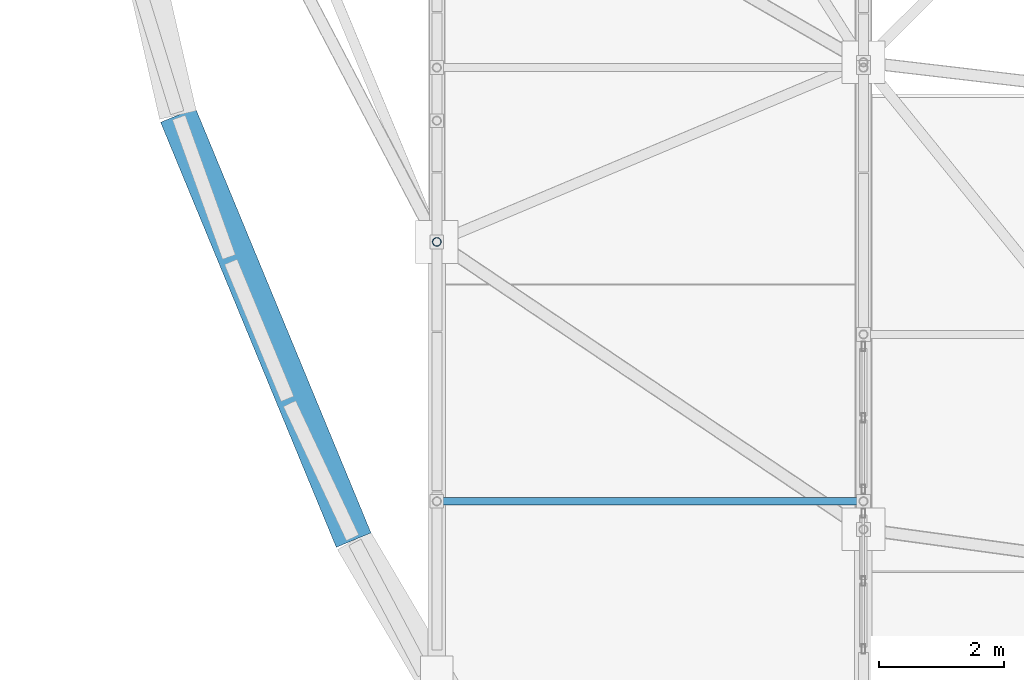
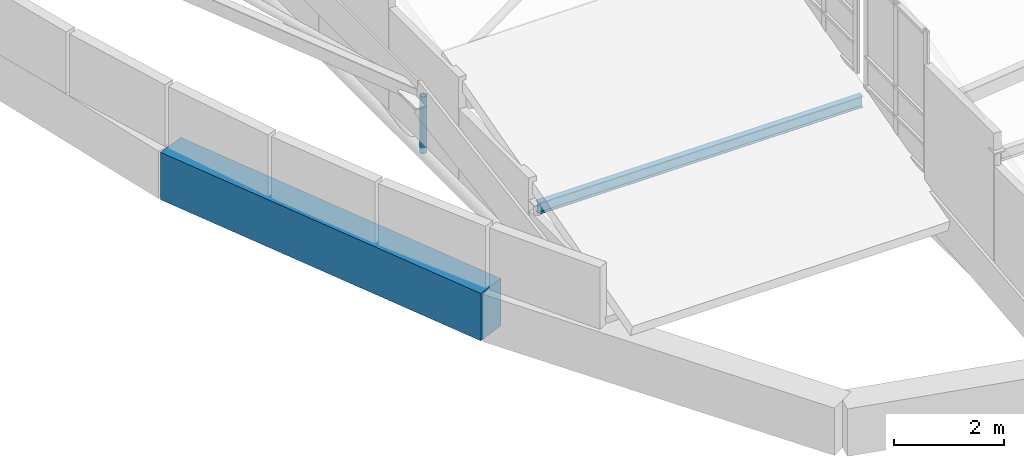
# One storey, part 3 of 188: 2 members, 1 beam.
"""IFC4 building model written with IfcOpenShell, lengths in metres."""

from ifc_helpers import new_model, si_unit, direction, frame, origin, origin_2d, place, context, subcontext, project, spatial, rectangle, hollow_circle, i_section, extrude, material, material_profile, profile_set, type_object, element, save


model = new_model("IFC4")

# Units and contexts
model_context = context("Model", 3, precision=1e-05, world=origin(), true_north=direction((0.0, 1.0)))
body_context = subcontext(model_context, "Body", "Model", "MODEL_VIEW")
ifc_project = project(units=[si_unit("LENGTHUNIT", "METRE"), si_unit("AREAUNIT", "SQUARE_METRE"), si_unit("VOLUMEUNIT", "CUBIC_METRE"), si_unit("PLANEANGLEUNIT", "RADIAN"), si_unit("MASSUNIT", "GRAM", prefix="KILO")], contexts=[model_context])

# Site, building, storey
site_placement = place(None, origin())
site = spatial("IfcSite", under=ifc_project, at=site_placement, CompositionType="ELEMENT")
building_placement = place(site_placement, origin())
building = spatial("IfcBuilding", under=site, at=building_placement, Name="Kisaragi Civic Commons", CompositionType="ELEMENT")
storey_placement = place(building_placement, frame((0.0, 0.0, 9.60009765625)))
storey = spatial("IfcBuildingStorey", under=building, at=storey_placement, Name="L02", CompositionType="ELEMENT", Elevation=9.60009765625)

# Beam
ifc_material_1 = material(Name="Concrete Fc36", Category="concrete")
ifc_material_profile_1 = material_profile(ifc_material_1, rectangle(XDim=0.60009765625, YDim=1.050048828125, at=origin_2d()), Name="RC-600x1050", Category="concrete")
ifc_profile_set_1 = profile_set([ifc_material_profile_1], Name="Concrete Fc36")
beam_type = type_object("IfcBeamType", Name="G-06", PredefinedType="BEAM", material=ifc_profile_set_1)
beam_placement = place(storey_placement, frame((2.67431640625, 16.888916015625, -0.84521484375), z_axis=(0.381977220479, -0.924171738929, 0.0), x_axis=(0.924171738929, 0.381977220479, 0.0)))
element("IfcBeam", 1, at=beam_placement, inside=storey, type_object=beam_type, Name="L02 curved spandrel/ring girder G-06 261", PredefinedType="BEAM", context=body_context, shape_type="SweptSolid", body=[
    extrude(rectangle(XDim=0.60009765625, YDim=1.050048828125, at=origin_2d()), origin(), (0.0, 0.0, 1.0), 7.3310546875),
])

# Members
ifc_material_2 = material(Name="Steel SN400 (SN400B)", Category="steel")
ifc_material_profile_2 = material_profile(ifc_material_2, i_section(OverallWidth=0.125, OverallDepth=0.25, WebThickness=0.006103515625, FlangeThickness=0.009033203125, FilletRadius=0.008056640625, at=origin_2d()), Name="H-250x125x6x9", Category="steel")
ifc_profile_set_2 = profile_set([ifc_material_profile_2], Name="Steel SN400 (SN400B)")
member_type_1 = type_object("IfcMemberType", Name="PR-01", PredefinedType="PURLIN", material=ifc_profile_set_2)
member_1_placement = place(storey_placement, frame((6.800048828125, 10.732666015625, 0.580078125), z_axis=(1.0, 0.0, 0.0), x_axis=(0.0, 1.0, 0.0)))
element("IfcMember", 2, at=member_1_placement, inside=storey, type_object=member_type_1, Name="V1 wave vault steel purlin 9", PredefinedType="PURLIN", context=body_context, shape_type="SweptSolid", body=[
    extrude(i_section(OverallWidth=0.125, OverallDepth=0.25, WebThickness=0.006103515625, FlangeThickness=0.009033203125, FilletRadius=0.008056640625, at=origin_2d()), origin(), (0.0, 0.0, 1.0), 6.800048828125),
])
ifc_material_3 = material(Name="Steel SN490 (SN490B)", Category="steel")
ifc_material_profile_3 = material_profile(ifc_material_3, hollow_circle(Radius=0.06982421875, WallThickness=0.006103515625, at=origin_2d()), Name="CHS-139.8x6.0", Category="steel")
ifc_profile_set_3 = profile_set([ifc_material_profile_3], Name="Steel SN490 (SN490B)")
member_type_2 = type_object("IfcMemberType", Name="ST-H1", PredefinedType="STRUT", material=ifc_profile_set_3)
member_2_placement = place(storey_placement, frame((6.800048828125, 14.86669921875, -0.691162109375), z_axis=(0.0, 0.0, 1.0), x_axis=(1.0, 0.0, 0.0)))
element("IfcMember", 3, at=member_2_placement, inside=storey, type_object=member_type_2, Name="V1 arch tie hanger strut 16", PredefinedType="STRUT", context=body_context, shape_type="SweptSolid", body=[
    extrude(hollow_circle(Radius=0.06982421875, WallThickness=0.006103515625, at=origin_2d()), origin(), (0.0, 0.0, 1.0), 1.258544921875),
])

save(model, "model.ifc")
